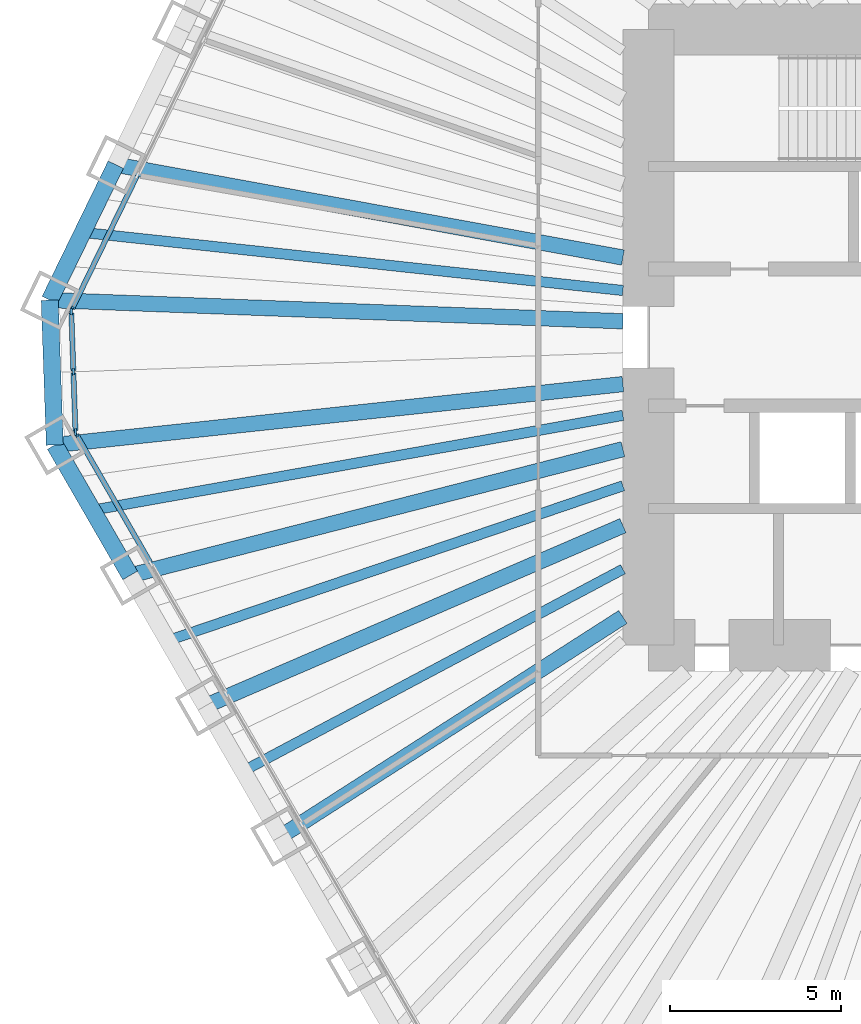
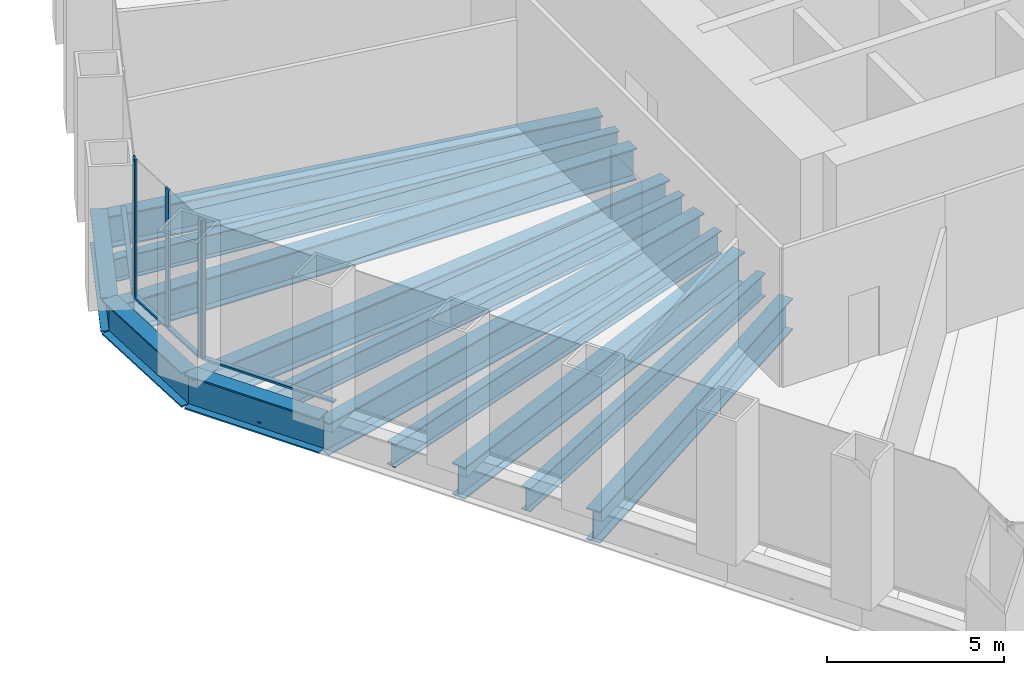
# One storey, part 3 of 13: 13 beams, 9 members, 3 elements without a shape of their own.
"""IFC4 building model written with IfcOpenShell, lengths in metres."""

from ifc_helpers import new_model, si_unit, direction, frame, origin, origin_2d, place, context, subcontext, project, spatial, rectangle, i_section, extrude, material, material_profile, profile_set, type_object, element, aggregate, save


model = new_model("IFC4")

# Units and contexts
model_context = context("Model", 3, precision=1e-05, world=origin(), true_north=direction((0.0, 1.0)))
body_context = subcontext(model_context, "Body", "Model", "MODEL_VIEW")
ifc_project = project(units=[si_unit("LENGTHUNIT", "METRE"), si_unit("AREAUNIT", "SQUARE_METRE"), si_unit("VOLUMEUNIT", "CUBIC_METRE"), si_unit("PLANEANGLEUNIT", "RADIAN"), si_unit("MASSUNIT", "GRAM", prefix="KILO")], contexts=[model_context])

# Site, building, storey
site_placement = place(None, origin())
site = spatial("IfcSite", under=ifc_project, at=site_placement, CompositionType="ELEMENT")
building_placement = place(site_placement, origin())
building = spatial("IfcBuilding", under=site, at=building_placement, Name="Qingtian Harvest Tower", CompositionType="ELEMENT")
storey_placement = place(building_placement, frame((0.0, 0.0, 87.0)))
storey = spatial("IfcBuildingStorey", under=building, at=storey_placement, Name="L17", CompositionType="ELEMENT", Elevation=87.0)

# Beams
ifc_material_1 = material(Name="Steel SM570MC", Category="steel")
ifc_material_profile_1 = material_profile(ifc_material_1, i_section(OverallWidth=0.449951171875, OverallDepth=1.10009765625, WebThickness=0.02197265625, FlangeThickness=0.044921875, at=origin_2d()), Name="H1100x450x22x45")
ifc_profile_set_1 = profile_set([ifc_material_profile_1], Name="Steel SM570MC")
beam_type_1 = type_object("IfcBeamType", Name="Corner floor beam FB8 H1100x450x22x45", PredefinedType="BEAM", material=ifc_profile_set_1)
beam_1_placement = place(storey_placement, frame((-29.36083984375, -3.145751953125, -0.75), z_axis=(0.994308822197, 0.106536219669, 0.0), x_axis=(-0.106536219669, 0.994308822197, 0.0)))
element("IfcBeam", 1, at=beam_1_placement, inside=storey, type_object=beam_type_1, Name="Floor beam FB8 SW6", PredefinedType="BEAM", context=body_context, shape_type="SweptSolid", body=[
    extrude(i_section(OverallWidth=0.449951171875, OverallDepth=1.10009765625, WebThickness=0.02197265625, FlangeThickness=0.044921875, at=origin_2d()), origin(), (0.0, 0.0, 1.0), 16.705810546875),
])
beam_2_placement = place(storey_placement, frame((-29.5087890625, 1.08984375, -0.75), z_axis=(0.999318796571, -0.036904509488, 0.0), x_axis=(0.036904509488, 0.999318796571, 0.0)))
element("IfcBeam", 2, at=beam_2_placement, inside=storey, type_object=beam_type_1, Name="Floor beam FB8 NW0", PredefinedType="BEAM", context=body_context, shape_type="SweptSolid", body=[
    extrude(i_section(OverallWidth=0.449951171875, OverallDepth=1.10009765625, WebThickness=0.02197265625, FlangeThickness=0.044921875, at=origin_2d()), origin(), (0.0, 0.0, 1.0), 16.770263671875),
])
ifc_material_2 = material(Name="Steel SM570MC", Category="steel")
ifc_material_profile_2 = material_profile(ifc_material_2, i_section(OverallWidth=0.449951171875, OverallDepth=1.10009765625, WebThickness=0.02197265625, FlangeThickness=0.044921875, at=origin_2d()), Name="H1100x450x22x45")
ifc_profile_set_2 = profile_set([ifc_material_profile_2], Name="Steel SM570MC")
beam_type_2 = type_object("IfcBeamType", Name="Floor beam FB1 H1100x450x22x45", PredefinedType="BEAM", material=ifc_profile_set_2)
beam_3_placement = place(storey_placement, frame((-22.75390625, -14.589111328125, -0.75), z_axis=(0.841829353865, 0.539743771591, 0.0), x_axis=(-0.539743771591, 0.841829353865, 0.0)))
element("IfcBeam", 3, at=beam_3_placement, inside=storey, type_object=beam_type_2, Name="Floor beam FB1 SW3", PredefinedType="BEAM", context=body_context, shape_type="SweptSolid", body=[
    extrude(i_section(OverallWidth=0.449951171875, OverallDepth=1.10009765625, WebThickness=0.02197265625, FlangeThickness=0.044921875, at=origin_2d()), origin(), (0.0, 0.0, 1.0), 11.883544921875),
])
beam_4_placement = place(storey_placement, frame((-24.9560546875, -10.774658203125, -0.75), z_axis=(0.918083617325, 0.396386770213, 0.0), x_axis=(-0.396386770213, 0.918083617325, 0.0)))
element("IfcBeam", 4, at=beam_4_placement, inside=storey, type_object=beam_type_2, Name="Floor beam FB1 SW4", PredefinedType="BEAM", context=body_context, shape_type="SweptSolid", body=[
    extrude(i_section(OverallWidth=0.449951171875, OverallDepth=1.10009765625, WebThickness=0.02197265625, FlangeThickness=0.044921875, at=origin_2d()), origin(), (0.0, 0.0, 1.0), 13.295166015625),
])
beam_5_placement = place(storey_placement, frame((-27.158447265625, -6.960205078125, -0.75), z_axis=(0.968693729942, 0.248258851947, 0.0), x_axis=(-0.248258851947, 0.968693729942, 0.0)))
element("IfcBeam", 5, at=beam_5_placement, inside=storey, type_object=beam_type_2, Name="Floor beam FB1 SW5", PredefinedType="BEAM", context=body_context, shape_type="SweptSolid", body=[
    extrude(i_section(OverallWidth=0.449951171875, OverallDepth=1.10009765625, WebThickness=0.02197265625, FlangeThickness=0.044921875, at=origin_2d()), origin(), (0.0, 0.0, 1.0), 14.8740234375),
])
beam_6_placement = place(storey_placement, frame((-27.577880859375, 5.048828125, -0.75), z_axis=(0.98365177106, -0.180081074215, 0.0), x_axis=(0.180081074215, 0.98365177106, 0.0)))
element("IfcBeam", 6, at=beam_6_placement, inside=storey, type_object=beam_type_2, Name="Floor beam FB1 NW1", PredefinedType="BEAM", context=body_context, shape_type="SweptSolid", body=[
    extrude(i_section(OverallWidth=0.449951171875, OverallDepth=1.10009765625, WebThickness=0.02197265625, FlangeThickness=0.044921875, at=origin_2d()), origin(), (0.0, 0.0, 1.0), 15.07421875),
])
ifc_material_3 = material(Name="Steel SN490B", Category="steel")
ifc_material_profile_3 = material_profile(ifc_material_3, i_section(OverallWidth=0.300048828125, OverallDepth=0.800048828125, WebThickness=0.013916015625, FlangeThickness=0.02587890625, at=origin_2d()), Name="H800x300x14x26")
ifc_profile_set_3 = profile_set([ifc_material_profile_3], Name="Steel SN490B")
beam_type_3 = type_object("IfcBeamType", Name="Floor joist J1 H800x300x14x26", PredefinedType="JOIST", material=ifc_profile_set_3)
beam_7_placement = place(storey_placement, frame((-23.85498046875, -12.681884765625, -0.60009765625), z_axis=(0.882982474604, 0.469405953885, 0.0), x_axis=(-0.469405953885, 0.882982474604, 0.0)))
element("IfcBeam", 7, at=beam_7_placement, inside=storey, type_object=beam_type_3, Name="Floor joist J1 SW3", PredefinedType="JOIST", context=body_context, shape_type="SweptSolid", body=[
    extrude(i_section(OverallWidth=0.300048828125, OverallDepth=0.800048828125, WebThickness=0.013916015625, FlangeThickness=0.02587890625, at=origin_2d()), origin(), (0.0, 0.0, 1.0), 12.57666015625),
])
beam_8_placement = place(storey_placement, frame((-26.057373046875, -8.867431640625, -0.60009765625), z_axis=(0.946684735425, 0.322161468387, 0.0), x_axis=(-0.322161468387, 0.946684735425, 0.0)))
element("IfcBeam", 8, at=beam_8_placement, inside=storey, type_object=beam_type_3, Name="Floor joist J1 SW4", PredefinedType="JOIST", context=body_context, shape_type="SweptSolid", body=[
    extrude(i_section(OverallWidth=0.300048828125, OverallDepth=0.800048828125, WebThickness=0.013916015625, FlangeThickness=0.02587890625, at=origin_2d()), origin(), (0.0, 0.0, 1.0), 14.056884765625),
])
beam_9_placement = place(storey_placement, frame((-28.259521484375, -5.052978515625, -0.60009765625), z_axis=(0.984387614034, 0.176014275943, 0.0), x_axis=(-0.176014275943, 0.984387614034, 0.0)))
element("IfcBeam", 9, at=beam_9_placement, inside=storey, type_object=beam_type_3, Name="Floor joist J1 SW5", PredefinedType="JOIST", context=body_context, shape_type="SweptSolid", body=[
    extrude(i_section(OverallWidth=0.300048828125, OverallDepth=0.800048828125, WebThickness=0.013916015625, FlangeThickness=0.02587890625, at=origin_2d()), origin(), (0.0, 0.0, 1.0), 15.755615234375),
])
beam_10_placement = place(storey_placement, frame((-28.543212890625, 3.0693359375, -0.60009765625), z_axis=(0.994268320665, -0.106913546948, 0.0), x_axis=(0.106913546948, 0.994268320665, 0.0)))
element("IfcBeam", 10, at=beam_10_placement, inside=storey, type_object=beam_type_3, Name="Floor joist J1 NW0", PredefinedType="JOIST", context=body_context, shape_type="SweptSolid", body=[
    extrude(i_section(OverallWidth=0.300048828125, OverallDepth=0.800048828125, WebThickness=0.013916015625, FlangeThickness=0.02587890625, at=origin_2d()), origin(), (0.0, 0.0, 1.0), 15.88427734375),
])

# Curtain wall, member
ifc_material_4 = material(Name="Bronze-anodised aluminium curtain wall", Category="aluminium")
curtain_wall_type = type_object("IfcCurtainWallType", Name="Curtain wall CW2 farm reception", PredefinedType="USERDEFINED", material=ifc_material_4)
curtain_wall_1_placement = place(storey_placement, origin())
curtain_wall_1 = element("IfcCurtainWall", 11, at=curtain_wall_1_placement, inside=storey, type_object=curtain_wall_type, Name="Curtain wall CW2 L17 SW0-5", ObjectType="RECESSED CURTAIN WALL", PredefinedType="USERDEFINED")
ifc_material_5 = material(Name="Bronze-anodised aluminium mullion", Category="aluminium")
ifc_material_profile_4 = material_profile(ifc_material_5, rectangle(XDim=0.06494140625, YDim=0.199951171875, at=origin_2d()), Name="AL 65x200")
ifc_profile_set_4 = profile_set([ifc_material_profile_4], Name="Bronze-anodised aluminium mullion")
member_type_1 = type_object("IfcMemberType", Name="Mullion CWM 65x200", PredefinedType="MULLION", material=ifc_profile_set_4)
member_1_placement = place(storey_placement, frame((-28.73828125, -2.82373046875, 0.0), z_axis=(0.0, 0.0, 1.0), x_axis=(-0.866025403784, -0.5, 0.0)))
member_1 = element("IfcMember", 12, at=member_1_placement, type_object=member_type_1, Name="CW2 mullion 7", PredefinedType="MULLION", context=body_context, shape_type="SweptSolid", body=[
    extrude(rectangle(XDim=0.06494140625, YDim=0.199951171875, at=origin_2d()), origin(), (0.0, 0.0, 1.0), 4.800048828125),
])

# Curtain wall, members
curtain_wall_2_placement = place(storey_placement, origin())
curtain_wall_2 = element("IfcCurtainWall", 13, at=curtain_wall_2_placement, inside=storey, type_object=curtain_wall_type, Name="Curtain wall CW2 L17 SWC", ObjectType="RECESSED CURTAIN WALL", PredefinedType="USERDEFINED")
member_2_placement = place(storey_placement, frame((-28.755615234375, -2.76318359375, 0.0), z_axis=(0.0, 0.0, 1.0), x_axis=(-0.999390827019, -0.034899496703, 0.0)))
member_2 = element("IfcMember", 14, at=member_2_placement, type_object=member_type_1, Name="CW2 mullion 1", PredefinedType="MULLION", context=body_context, shape_type="SweptSolid", body=[
    extrude(rectangle(XDim=0.06494140625, YDim=0.199951171875, at=origin_2d()), origin(), (0.0, 0.0, 1.0), 4.800048828125),
])
member_3_placement = place(storey_placement, frame((-28.817138671875, -1.00634765625, 0.0), z_axis=(0.0, 0.0, 1.0), x_axis=(-0.999390827019, -0.034899496703, 0.0)))
member_3 = element("IfcMember", 15, at=member_3_placement, type_object=member_type_1, Name="CW2 mullion 2", PredefinedType="MULLION", context=body_context, shape_type="SweptSolid", body=[
    extrude(rectangle(XDim=0.06494140625, YDim=0.199951171875, at=origin_2d()), origin(), (0.0, 0.0, 1.0), 4.800048828125),
])
member_4_placement = place(storey_placement, frame((-28.87841796875, 0.75048828125, 0.0), z_axis=(0.0, 0.0, 1.0), x_axis=(-0.999390827019, -0.034899496703, 0.0)))
member_4 = element("IfcMember", 16, at=member_4_placement, type_object=member_type_1, Name="CW2 mullion 3", PredefinedType="MULLION", context=body_context, shape_type="SweptSolid", body=[
    extrude(rectangle(XDim=0.06494140625, YDim=0.199951171875, at=origin_2d()), origin(), (0.0, 0.0, 1.0), 4.800048828125),
])

# Curtain wall, member
curtain_wall_3_placement = place(storey_placement, origin())
curtain_wall_3 = element("IfcCurtainWall", 17, at=curtain_wall_3_placement, inside=storey, type_object=curtain_wall_type, Name="Curtain wall CW2 L17 NW0-5", ObjectType="RECESSED CURTAIN WALL", PredefinedType="USERDEFINED")
member_5_placement = place(storey_placement, frame((-28.865234375, 0.812255859375, 0.0), z_axis=(0.0, 0.0, 1.0), x_axis=(-0.898794046299, 0.438371146789, 0.0)))
member_5 = element("IfcMember", 18, at=member_5_placement, type_object=member_type_1, Name="CW2 mullion 1", PredefinedType="MULLION", context=body_context, shape_type="SweptSolid", body=[
    extrude(rectangle(XDim=0.06494140625, YDim=0.199951171875, at=origin_2d()), origin(), (0.0, 0.0, 1.0), 4.800048828125),
])

# Beams
ifc_material_6 = material(Name="Steel SM570MC", Category="steel")
ifc_material_profile_5 = material_profile(ifc_material_6, i_section(OverallWidth=0.5, OverallDepth=1.199951171875, WebThickness=0.02490234375, FlangeThickness=0.050048828125, at=origin_2d()), Name="H1200x500x25x50")
ifc_profile_set_5 = profile_set([ifc_material_profile_5], Name="Steel SM570MC")
beam_type_4 = type_object("IfcBeamType", Name="Spandrel beam SB1 H1200x500x25x50", PredefinedType="SPANDREL", material=ifc_profile_set_5)
beam_11_placement = place(storey_placement, frame((-27.158447265625, -6.960205078125, -0.60009765625), z_axis=(-0.50001992892, 0.866013897511, 0.0), x_axis=(-0.866013897511, -0.50001992892, 0.0)))
element("IfcBeam", 19, at=beam_11_placement, inside=storey, type_object=beam_type_4, Name="Spandrel SB1 SW5", PredefinedType="SPANDREL", context=body_context, shape_type="SweptSolid", body=[
    extrude(i_section(OverallWidth=0.5, OverallDepth=1.199951171875, WebThickness=0.02490234375, FlangeThickness=0.050048828125, at=origin_2d()), origin(), (0.0, 0.0, 1.0), 4.404541015625),
])
beam_12_placement = place(storey_placement, frame((-29.36083984375, -3.145751953125, -0.60009765625), z_axis=(-0.034908677553, 0.999390506375, 0.0), x_axis=(-0.999390506375, -0.034908677553, 0.0)))
element("IfcBeam", 20, at=beam_12_placement, inside=storey, type_object=beam_type_4, Name="Spandrel SB1 SWC", PredefinedType="SPANDREL", context=body_context, shape_type="SweptSolid", body=[
    extrude(i_section(OverallWidth=0.5, OverallDepth=1.199951171875, WebThickness=0.02490234375, FlangeThickness=0.050048828125, at=origin_2d()), origin(), (0.0, 0.0, 1.0), 4.23828125),
])
beam_13_placement = place(storey_placement, frame((-29.5087890625, 1.08984375, -0.60009765625), z_axis=(0.438367938366, 0.898795611145, 0.0), x_axis=(-0.898795611145, 0.438367938366, 0.0)))
element("IfcBeam", 21, at=beam_13_placement, inside=storey, type_object=beam_type_4, Name="Spandrel SB1 NW0", PredefinedType="SPANDREL", context=body_context, shape_type="SweptSolid", body=[
    extrude(i_section(OverallWidth=0.5, OverallDepth=1.199951171875, WebThickness=0.02490234375, FlangeThickness=0.050048828125, at=origin_2d()), origin(), (0.0, 0.0, 1.0), 4.40478515625),
])

# Member
ifc_material_7 = material(Name="Bronze-anodised aluminium transom", Category="aluminium")
ifc_material_profile_6 = material_profile(ifc_material_7, rectangle(XDim=0.14990234375, YDim=0.06494140625, at=origin_2d()), Name="AL 65x150")
ifc_profile_set_6 = profile_set([ifc_material_profile_6], Name="Bronze-anodised aluminium transom")
member_type_2 = type_object("IfcMemberType", Name="Transom CWT 65x150", PredefinedType="USERDEFINED", material=ifc_profile_set_6)
member_6_placement = place(storey_placement, frame((-26.568603515625, -6.58203125, 0.032470703125), z_axis=(-0.499967798808, 0.866043994353, 0.0), x_axis=(-0.866043994353, -0.499967798808, 0.0)))
member_6 = element("IfcMember", 22, at=member_6_placement, type_object=member_type_2, Name="CW2 transom 6.1", ObjectType="TRANSOM", PredefinedType="USERDEFINED", context=body_context, shape_type="SweptSolid", body=[
    extrude(rectangle(XDim=0.14990234375, YDim=0.06494140625, at=origin_2d()), origin(), (0.0, 0.0, 1.0), 4.306884765625),
])

aggregate(curtain_wall_1, [member_1, member_6])

member_7_placement = place(storey_placement, frame((-28.7568359375, -2.730712890625, 0.032470703125), z_axis=(-0.034899362377, 0.99939083171, 0.0), x_axis=(-0.99939083171, -0.034899362377, 0.0)))
member_7 = element("IfcMember", 23, at=member_7_placement, type_object=member_type_2, Name="CW2 transom 1.1", ObjectType="TRANSOM", PredefinedType="USERDEFINED", context=body_context, shape_type="SweptSolid", body=[
    extrude(rectangle(XDim=0.14990234375, YDim=0.06494140625, at=origin_2d()), origin(), (0.0, 0.0, 1.0), 1.69287109375),
])

member_8_placement = place(storey_placement, frame((-28.818115234375, -0.973876953125, 0.032470703125), z_axis=(-0.034899362377, 0.99939083171, 0.0), x_axis=(-0.99939083171, -0.034899362377, 0.0)))
member_8 = element("IfcMember", 24, at=member_8_placement, type_object=member_type_2, Name="CW2 transom 2.1", ObjectType="TRANSOM", PredefinedType="USERDEFINED", context=body_context, shape_type="SweptSolid", body=[
    extrude(rectangle(XDim=0.14990234375, YDim=0.06494140625, at=origin_2d()), origin(), (0.0, 0.0, 1.0), 1.69287109375),
])

aggregate(curtain_wall_2, [member_2, member_3, member_4, member_7, member_8])

member_9_placement = place(storey_placement, frame((-28.85107421875, 0.841552734375, 0.032470703125), z_axis=(0.438394595167, 0.898782609383, 0.0), x_axis=(-0.898782609383, 0.438394595167, 0.0)))
member_9 = element("IfcMember", 25, at=member_9_placement, type_object=member_type_2, Name="CW2 transom 1.1", ObjectType="TRANSOM", PredefinedType="USERDEFINED", context=body_context, shape_type="SweptSolid", body=[
    extrude(rectangle(XDim=0.14990234375, YDim=0.06494140625, at=origin_2d()), origin(), (0.0, 0.0, 1.0), 4.30712890625),
])

aggregate(curtain_wall_3, [member_5, member_9])

save(model, "model.ifc")
